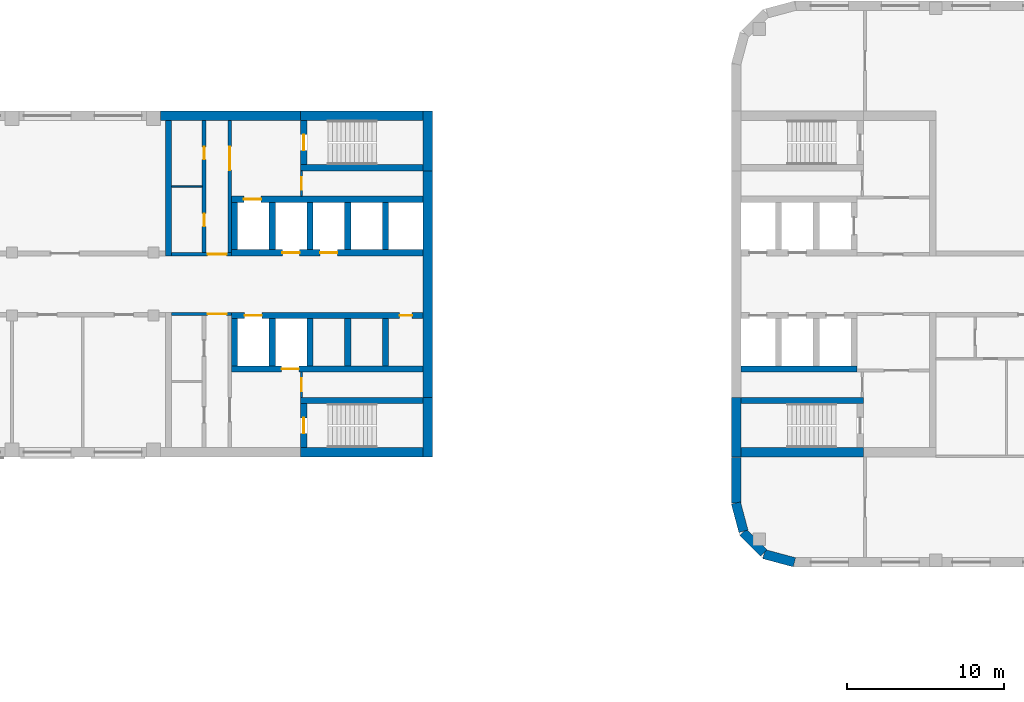
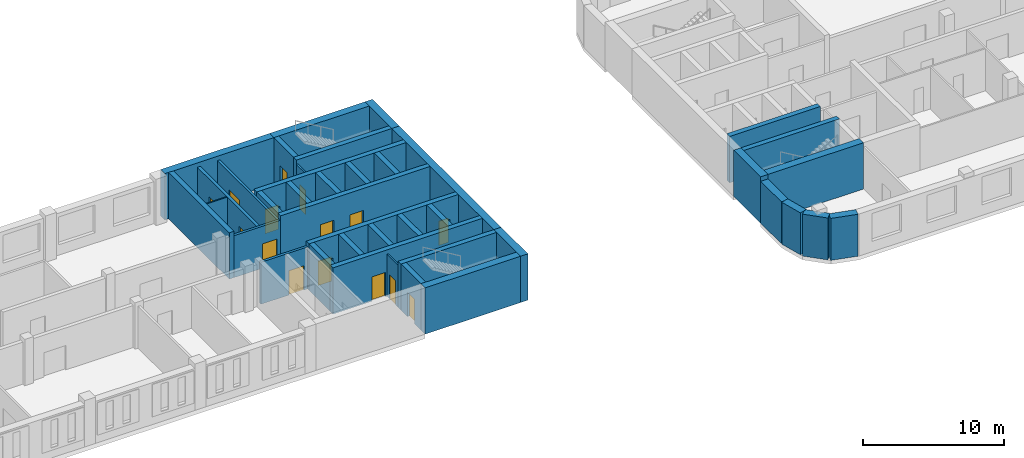
# One storey, part 6 of 12: 40 walls, 15 doors, 15 openings.
"""IFC4 building model written with IfcOpenShell, lengths in metres."""

from ifc_helpers import new_model, si_unit, direction, frame, frame_2d, origin, place, context, subcontext, project, spatial, rectangle, extrude, material, layer, layer_set, type_object, element, fill, save


model = new_model("IFC4")

# Units and contexts
model_context = context("Model", 3, precision=1e-05, world=origin(), true_north=direction((0.0, 1.0)))
body_context = subcontext(model_context, "Body", "Model", "MODEL_VIEW")
ifc_project = project(units=[si_unit("LENGTHUNIT", "METRE"), si_unit("AREAUNIT", "SQUARE_METRE"), si_unit("VOLUMEUNIT", "CUBIC_METRE"), si_unit("PLANEANGLEUNIT", "RADIAN"), si_unit("MASSUNIT", "GRAM", prefix="KILO")], contexts=[model_context])

# Site, building, storey
site_placement = place(None, origin())
site = spatial("IfcSite", under=ifc_project, at=site_placement, CompositionType="ELEMENT")
building_placement = place(site_placement, origin())
building = spatial("IfcBuilding", under=site, at=building_placement, Name="Skarvind Civic Tower", CompositionType="ELEMENT")
storey_placement = place(building_placement, frame((0.0, 0.0, 39.5)))
storey = spatial("IfcBuildingStorey", under=building, at=storey_placement, Name="L08", CompositionType="ELEMENT", Elevation=39.5)

# Wall, opening, door
ifc_material_1 = material(Name="Fire-rated masonry partition", Category="masonry")
ifc_layer_1 = layer(ifc_material_1, 0.199951171875)
ifc_layer_set_1 = layer_set([ifc_layer_1], Name="Core enclosure wall 200")
wall_type_1 = type_object("IfcWallType", Name="Core enclosure wall 200", PredefinedType="PARTITIONING", material=ifc_layer_set_1)
wall_1_placement = place(storey_placement, frame((95.199951171875, 126.10009765625, 0.0), z_axis=(0.0, 0.0, 1.0), x_axis=(-1.0, 0.0, 0.0)))
wall_1 = element("IfcWall", 1, at=wall_1_placement, inside=storey, type_object=wall_type_1, Name="Core wall C1", PredefinedType="PARTITIONING", context=body_context, shape_type="SweptSolid", body=[
    extrude(rectangle(XDim=3.800048828125, YDim=0.199951171875, at=frame_2d((1.89990234375, 0.0))), origin(), (0.0, 0.0, 1.0), 3.625),
])
opening_1_placement = place(wall_1_placement, frame((0.300048828125, 0.0, 0.0)))
opening_1 = element("IfcOpeningElement", 2, at=opening_1_placement, cuts=wall_1, Name="Opening D-L08-C1-05", PredefinedType="OPENING", context=body_context, shape_type="SweptSolid", body=[
    extrude(rectangle(XDim=1.199951171875, YDim=2.10009765625, at=frame_2d((0.60009765625, 1.050048828125))), frame((0.0, 0.10986328125, 0.0), z_axis=(0.0, -1.0, 0.0), x_axis=(1.0, 0.0, 0.0)), (0.0, 0.0, 1.0), 0.219970703125),
])
ifc_material_2 = material(Name="Fire-rated steel door", Category="steel")
door_type_1 = type_object("IfcDoorType", Name="Core lobby door 1200", OperationType="NOTDEFINED", PredefinedType="DOOR", material=ifc_material_2)
door_1_placement = place(opening_1_placement, origin())
door_1 = element("IfcDoor", 3, at=door_1_placement, inside=storey, type_object=door_type_1, Name="Fire door", OperationType="DOUBLE_DOOR_SINGLE_SWING", OverallHeight=2.10009765625, OverallWidth=1.199951171875, PredefinedType="DOOR", context=body_context, shape_type="SweptSolid", body=[
    extrude(rectangle(XDim=1.199951171875, YDim=2.10009765625, at=frame_2d((0.60009765625, 1.050048828125))), frame((0.0, 0.02490234375, 0.0), z_axis=(0.0, -1.0, 0.0), x_axis=(1.0, 0.0, 0.0)), (0.0, 0.0, 1.0), 0.050048828125),
])
fill(opening_1, door_1)

wall_2_placement = place(storey_placement, frame((91.39990234375, 129.89990234375, 0.0), z_axis=(0.0, 0.0, 1.0), x_axis=(1.0, 0.0, 0.0)))
wall_2 = element("IfcWall", 4, at=wall_2_placement, inside=storey, type_object=wall_type_1, Name="Core wall C1", PredefinedType="PARTITIONING", context=body_context, shape_type="SweptSolid", body=[
    extrude(rectangle(XDim=3.800048828125, YDim=0.199951171875, at=frame_2d((1.89990234375, 0.0))), origin(), (0.0, 0.0, 1.0), 3.625),
])
opening_2_placement = place(wall_2_placement, frame((2.300048828125, 0.0, 0.0)))
opening_2 = element("IfcOpeningElement", 5, at=opening_2_placement, cuts=wall_2, Name="Opening D-L08-C1-11", PredefinedType="OPENING", context=body_context, shape_type="SweptSolid", body=[
    extrude(rectangle(XDim=1.199951171875, YDim=2.10009765625, at=frame_2d((0.60009765625, 1.050048828125))), frame((0.0, 0.10986328125, 0.0), z_axis=(0.0, -1.0, 0.0), x_axis=(1.0, 0.0, 0.0)), (0.0, 0.0, 1.0), 0.219970703125),
])
door_2_placement = place(opening_2_placement, origin())
door_2 = element("IfcDoor", 6, at=door_2_placement, inside=storey, type_object=door_type_1, Name="Fire door", OperationType="DOUBLE_DOOR_SINGLE_SWING", OverallHeight=2.10009765625, OverallWidth=1.199951171875, PredefinedType="DOOR", context=body_context, shape_type="SweptSolid", body=[
    extrude(rectangle(XDim=1.199951171875, YDim=2.10009765625, at=frame_2d((0.60009765625, 1.050048828125))), frame((0.0, 0.02490234375, 0.0), z_axis=(0.0, -1.0, 0.0), x_axis=(1.0, 0.0, 0.0)), (0.0, 0.0, 1.0), 0.050048828125),
])
fill(opening_2, door_2)

wall_3_placement = place(storey_placement, frame((95.10009765625, 130.0, 0.0), z_axis=(0.0, 0.0, 1.0), x_axis=(0.0, 1.0, 0.0)))
wall_3 = element("IfcWall", 7, at=wall_3_placement, inside=storey, type_object=wall_type_1, Name="Core wall C1", PredefinedType="PARTITIONING", context=body_context, shape_type="SweptSolid", body=[
    extrude(rectangle(XDim=8.39990234375, YDim=0.199951171875, at=frame_2d((4.199951171875, 0.0))), origin(), (0.0, 0.0, 1.0), 3.625),
])
opening_3_placement = place(wall_3_placement, frame((5.25, 0.0, 0.0)))
opening_3 = element("IfcOpeningElement", 8, at=opening_3_placement, cuts=wall_3, Name="Opening D-L08-C1-12", PredefinedType="OPENING", context=body_context, shape_type="SweptSolid", body=[
    extrude(rectangle(XDim=1.5, YDim=2.10009765625, at=frame_2d((0.75, 1.050048828125))), frame((0.0, 0.10986328125, 0.0), z_axis=(0.0, -1.0, 0.0), x_axis=(1.0, 0.0, 0.0)), (0.0, 0.0, 1.0), 0.219970703125),
])
door_type_2 = type_object("IfcDoorType", Name="Fire door 1500", OperationType="NOTDEFINED", PredefinedType="DOOR", material=ifc_material_2)
door_3_placement = place(opening_3_placement, origin())
door_3 = element("IfcDoor", 9, at=door_3_placement, inside=storey, type_object=door_type_2, Name="Fire door", OperationType="DOUBLE_DOOR_SINGLE_SWING", OverallHeight=2.10009765625, OverallWidth=1.5, PredefinedType="DOOR", context=body_context, shape_type="SweptSolid", body=[
    extrude(rectangle(XDim=1.5, YDim=2.10009765625, at=frame_2d((0.75, 1.050048828125))), frame((0.0, 0.02490234375, 0.0), z_axis=(0.0, -1.0, 0.0), x_axis=(1.0, 0.0, 0.0)), (0.0, 0.0, 1.0), 0.050048828125),
])
fill(opening_3, door_3)

# Walls
ifc_material_3 = material(Name="Fire-rated plasterboard partition")
ifc_layer_2 = layer(ifc_material_3, 0.10009765625)
ifc_layer_set_2 = layer_set([ifc_layer_2], Name="Core partition wall 100")
wall_type_2 = type_object("IfcWallType", Name="Core partition wall 100", PredefinedType="PARTITIONING", material=ifc_layer_set_2)
wall_4_placement = place(storey_placement, frame((91.39990234375, 134.199951171875, 0.0), z_axis=(0.0, 0.0, 1.0), x_axis=(1.0, 0.0, 0.0)))
element("IfcWall", 10, at=wall_4_placement, inside=storey, type_object=wall_type_2, Name="Core wall C1", PredefinedType="PARTITIONING", context=body_context, shape_type="SweptSolid", body=[
    extrude(rectangle(XDim=1.9501953125, YDim=0.10009765625, at=frame_2d((0.97509765625, 0.0))), origin(), (0.0, 0.0, 1.0), 3.625),
])
ifc_material_4 = material(Name="Concrete C80", Category="concrete")
ifc_layer_3 = layer(ifc_material_4, 0.39990234375)
ifc_layer_set_3 = layer_set([ifc_layer_3], Name="Core wall 400 C80")
wall_type_3 = type_object("IfcWallType", Name="Core wall 400 C80", PredefinedType="SHEAR", material=ifc_layer_set_3)
wall_5_placement = place(storey_placement, frame((107.39990234375, 135.39990234375, 0.0), z_axis=(0.0, 0.0, 1.0), x_axis=(-1.0, 0.0, 0.0)))
element("IfcWall", 11, at=wall_5_placement, inside=storey, type_object=wall_type_3, Name="Core wall C1 south stair inner L08", PredefinedType="SHEAR", context=body_context, shape_type="SweptSolid", body=[
    extrude(rectangle(XDim=7.7998046875, YDim=0.39990234375, at=frame_2d((3.89990234375, 0.0))), origin(), (0.0, 0.0, 1.0), 4.0),
])

# Wall, opening, door
wall_6_placement = place(storey_placement, frame((99.800048828125, 138.39990234375, 0.0), z_axis=(0.0, 0.0, 1.0), x_axis=(0.0, -1.0, 0.0)))
wall_6 = element("IfcWall", 12, at=wall_6_placement, inside=storey, type_object=wall_type_3, Name="Core wall C1 south stair end L08", PredefinedType="SHEAR", context=body_context, shape_type="SweptSolid", body=[
    extrude(rectangle(XDim=2.7998046875, YDim=0.39990234375, at=frame_2d((1.39990234375, 0.0))), origin(), (0.0, 0.0, 1.0), 4.0),
])
opening_4_placement = place(wall_6_placement, frame((0.89990234375, 0.0, 0.0)))
opening_4 = element("IfcOpeningElement", 13, at=opening_4_placement, cuts=wall_6, Name="Opening D-L08-C1-13", PredefinedType="OPENING", context=body_context, shape_type="SweptSolid", body=[
    extrude(rectangle(XDim=1.0, YDim=2.10009765625, at=frame_2d((0.5, 1.050048828125))), frame((0.0, 0.2099609375, 0.0), z_axis=(0.0, -1.0, 0.0), x_axis=(1.0, 0.0, 0.0)), (0.0, 0.0, 1.0), 0.419921875),
])
door_type_3 = type_object("IfcDoorType", Name="Fire door 1000", OperationType="NOTDEFINED", PredefinedType="DOOR", material=ifc_material_2)
door_4_placement = place(opening_4_placement, origin())
door_4 = element("IfcDoor", 14, at=door_4_placement, inside=storey, type_object=door_type_3, Name="Fire door", OperationType="SINGLE_SWING_RIGHT", OverallHeight=2.10009765625, OverallWidth=1.0, PredefinedType="DOOR", context=body_context, shape_type="SweptSolid", body=[
    extrude(rectangle(XDim=1.0, YDim=2.10009765625, at=frame_2d((0.5, 1.050048828125))), frame((0.0, 0.02490234375, 0.0), z_axis=(0.0, -1.0, 0.0), x_axis=(1.0, 0.0, 0.0)), (0.0, 0.0, 1.0), 0.050048828125),
])
fill(opening_4, door_4)

# Wall
wall_7_placement = place(storey_placement, frame((107.39990234375, 120.60009765625, 0.0), z_axis=(0.0, 0.0, 1.0), x_axis=(-1.0, 0.0, 0.0)))
element("IfcWall", 15, at=wall_7_placement, inside=storey, type_object=wall_type_3, Name="Core wall C1 north stair inner L08", PredefinedType="SHEAR", context=body_context, shape_type="SweptSolid", body=[
    extrude(rectangle(XDim=7.7998046875, YDim=0.39990234375, at=frame_2d((3.89990234375, 0.0))), origin(), (0.0, 0.0, 1.0), 4.0),
])

# Wall, opening, door
wall_8_placement = place(storey_placement, frame((99.800048828125, 120.39990234375, 0.0), z_axis=(0.0, 0.0, 1.0), x_axis=(0.0, -1.0, 0.0)))
wall_8 = element("IfcWall", 16, at=wall_8_placement, inside=storey, type_object=wall_type_3, Name="Core wall C1 north stair end L08", PredefinedType="SHEAR", context=body_context, shape_type="SweptSolid", body=[
    extrude(rectangle(XDim=2.7998046875, YDim=0.39990234375, at=frame_2d((1.39990234375, 0.0))), origin(), (0.0, 0.0, 1.0), 4.0),
])
opening_5_placement = place(wall_8_placement, frame((0.89990234375, 0.0, 0.0)))
opening_5 = element("IfcOpeningElement", 17, at=opening_5_placement, cuts=wall_8, Name="Opening D-L08-C1-07", PredefinedType="OPENING", context=body_context, shape_type="SweptSolid", body=[
    extrude(rectangle(XDim=1.0, YDim=2.10009765625, at=frame_2d((0.5, 1.050048828125))), frame((0.0, 0.2099609375, 0.0), z_axis=(0.0, -1.0, 0.0), x_axis=(1.0, 0.0, 0.0)), (0.0, 0.0, 1.0), 0.419921875),
])
door_5_placement = place(opening_5_placement, origin())
door_5 = element("IfcDoor", 18, at=door_5_placement, inside=storey, type_object=door_type_3, Name="Fire door", OperationType="SINGLE_SWING_LEFT", OverallHeight=2.10009765625, OverallWidth=1.0, PredefinedType="DOOR", context=body_context, shape_type="SweptSolid", body=[
    extrude(rectangle(XDim=1.0, YDim=2.10009765625, at=frame_2d((0.5, 1.050048828125))), frame((0.0, 0.02490234375, 0.0), z_axis=(0.0, -1.0, 0.0), x_axis=(1.0, 0.0, 0.0)), (0.0, 0.0, 1.0), 0.050048828125),
])
fill(opening_5, door_5)

# Wall, openings, doors
wall_9_placement = place(storey_placement, frame((107.39990234375, 130.0, 0.0), z_axis=(0.0, 0.0, 1.0), x_axis=(-1.0, 0.0, 0.0)))
wall_9 = element("IfcWall", 19, at=wall_9_placement, inside=storey, type_object=wall_type_3, Name="Core wall C1 south lift row front L08", PredefinedType="SHEAR", context=body_context, shape_type="SweptSolid", body=[
    extrude(rectangle(XDim=12.199951171875, YDim=0.39990234375, at=frame_2d((6.10009765625, 0.0))), origin(), (0.0, 0.0, 1.0), 4.0),
])
opening_6_placement = place(wall_9_placement, frame((5.449951171875, 0.0, 0.0)))
opening_6 = element("IfcOpeningElement", 20, at=opening_6_placement, cuts=wall_9, Name="Opening LD10108", PredefinedType="OPENING", context=body_context, shape_type="SweptSolid", body=[
    extrude(rectangle(XDim=1.10009765625, YDim=2.10009765625, at=frame_2d((0.550048828125, 1.050048828125))), frame((0.0, 0.2099609375, 0.0), z_axis=(0.0, -1.0, 0.0), x_axis=(1.0, 0.0, 0.0)), (0.0, 0.0, 1.0), 0.419921875),
])
opening_7_placement = place(wall_9_placement, frame((7.85009765625, 0.0, 0.0)))
opening_7 = element("IfcOpeningElement", 21, at=opening_7_placement, cuts=wall_9, Name="Opening LD10109", PredefinedType="OPENING", context=body_context, shape_type="SweptSolid", body=[
    extrude(rectangle(XDim=1.10009765625, YDim=2.10009765625, at=frame_2d((0.550048828125, 1.050048828125))), frame((0.0, 0.2099609375, 0.0), z_axis=(0.0, -1.0, 0.0), x_axis=(1.0, 0.0, 0.0)), (0.0, 0.0, 1.0), 0.419921875),
])
ifc_material_5 = material(Name="Stainless steel landing door", Category="steel")
door_type_4 = type_object("IfcDoorType", Name="Lift landing door 1100", OperationType="DOUBLE_DOOR_SLIDING", PredefinedType="DOOR", material=ifc_material_5)
door_6_placement = place(opening_6_placement, origin())
door_6 = element("IfcDoor", 22, at=door_6_placement, inside=storey, type_object=door_type_4, Name="Lift landing door", OperationType="DOUBLE_DOOR_SLIDING", OverallHeight=2.10009765625, OverallWidth=1.10009765625, PredefinedType="DOOR", context=body_context, shape_type="SweptSolid", body=[
    extrude(rectangle(XDim=1.10009765625, YDim=2.10009765625, at=frame_2d((0.550048828125, 1.050048828125))), frame((0.0, 0.02490234375, 0.0), z_axis=(0.0, -1.0, 0.0), x_axis=(1.0, 0.0, 0.0)), (0.0, 0.0, 1.0), 0.050048828125),
])
fill(opening_6, door_6)
door_7_placement = place(opening_7_placement, origin())
door_7 = element("IfcDoor", 23, at=door_7_placement, inside=storey, type_object=door_type_4, Name="Lift landing door", OperationType="DOUBLE_DOOR_SLIDING", OverallHeight=2.10009765625, OverallWidth=1.10009765625, PredefinedType="DOOR", context=body_context, shape_type="SweptSolid", body=[
    extrude(rectangle(XDim=1.10009765625, YDim=2.10009765625, at=frame_2d((0.550048828125, 1.050048828125))), frame((0.0, 0.02490234375, 0.0), z_axis=(0.0, -1.0, 0.0), x_axis=(1.0, 0.0, 0.0)), (0.0, 0.0, 1.0), 0.050048828125),
])
fill(opening_7, door_7)

# Wall, opening, door
wall_10_placement = place(storey_placement, frame((107.39990234375, 133.39990234375, 0.0), z_axis=(0.0, 0.0, 1.0), x_axis=(-1.0, 0.0, 0.0)))
wall_10 = element("IfcWall", 24, at=wall_10_placement, inside=storey, type_object=wall_type_3, Name="Core wall C1 south lift row back L08", PredefinedType="SHEAR", context=body_context, shape_type="SweptSolid", body=[
    extrude(rectangle(XDim=12.199951171875, YDim=0.39990234375, at=frame_2d((6.10009765625, 0.0))), origin(), (0.0, 0.0, 1.0), 4.0),
])
opening_8_placement = place(wall_10_placement, frame((10.300048828125, 0.0, 0.0)))
opening_8 = element("IfcOpeningElement", 25, at=opening_8_placement, cuts=wall_10, Name="Opening LD10110", PredefinedType="OPENING", context=body_context, shape_type="SweptSolid", body=[
    extrude(rectangle(XDim=1.10009765625, YDim=2.10009765625, at=frame_2d((0.550048828125, 1.050048828125))), frame((0.0, 0.2099609375, 0.0), z_axis=(0.0, -1.0, 0.0), x_axis=(1.0, 0.0, 0.0)), (0.0, 0.0, 1.0), 0.419921875),
])
door_8_placement = place(opening_8_placement, origin())
door_8 = element("IfcDoor", 26, at=door_8_placement, inside=storey, type_object=door_type_4, Name="Lift landing door", OperationType="DOUBLE_DOOR_SLIDING", OverallHeight=2.10009765625, OverallWidth=1.10009765625, PredefinedType="DOOR", context=body_context, shape_type="SweptSolid", body=[
    extrude(rectangle(XDim=1.10009765625, YDim=2.10009765625, at=frame_2d((0.550048828125, 1.050048828125))), frame((0.0, 0.02490234375, 0.0), z_axis=(0.0, -1.0, 0.0), x_axis=(1.0, 0.0, 0.0)), (0.0, 0.0, 1.0), 0.050048828125),
])
fill(opening_8, door_8)

# Walls
for number, where, z_axis, x_axis, name in (
    (27, (105.0, 133.199951171875, 0.0), (0.0, 0.0, 1.0), (0.0, -1.0, 0.0), "Core wall C1 south lift row division 1 L08"),
    (28, (102.60009765625, 133.199951171875, 0.0), (0.0, 0.0, 1.0), (0.0, -1.0, 0.0), "Core wall C1 south lift row division 2 L08"),
    (29, (100.199951171875, 133.199951171875, 0.0), (0.0, 0.0, 1.0), (0.0, -1.0, 0.0), "Core wall C1 south lift row division 3 L08"),
    (30, (97.800048828125, 133.199951171875, 0.0), (0.0, 0.0, 1.0), (0.0, -1.0, 0.0), "Core wall C1 south lift row division 4 L08"),
    (31, (95.39990234375, 133.199951171875, 0.0), (0.0, 0.0, 1.0), (0.0, -1.0, 0.0), "Core wall C1 south lift row division 5 L08"),
):
    element("IfcWall", number, at=place(storey_placement, frame(where, z_axis=z_axis, x_axis=x_axis)), inside=storey, type_object=wall_type_3, Name=name, PredefinedType="SHEAR", context=body_context, shape_type="SweptSolid", body=[
        extrude(rectangle(XDim=3.0, YDim=0.39990234375, at=frame_2d((1.5, 0.0))), origin(), (0.0, 0.0, 1.0), 4.0),
    ])

# Wall, openings, doors
wall_11_placement = place(storey_placement, frame((107.39990234375, 126.0, 0.0), z_axis=(0.0, 0.0, 1.0), x_axis=(-1.0, 0.0, 0.0)))
wall_11 = element("IfcWall", 32, at=wall_11_placement, inside=storey, type_object=wall_type_3, Name="Core wall C1 north lift row front L08", PredefinedType="SHEAR", context=body_context, shape_type="SweptSolid", body=[
    extrude(rectangle(XDim=12.199951171875, YDim=0.39990234375, at=frame_2d((6.10009765625, 0.0))), origin(), (0.0, 0.0, 1.0), 4.0),
])
opening_9_placement = place(wall_11_placement, frame((10.25, 0.0, 0.0)))
opening_9 = element("IfcOpeningElement", 33, at=opening_9_placement, cuts=wall_11, Name="Opening LD10105", PredefinedType="OPENING", context=body_context, shape_type="SweptSolid", body=[
    extrude(rectangle(XDim=1.10009765625, YDim=2.10009765625, at=frame_2d((0.550048828125, 1.050048828125))), frame((0.0, 0.2099609375, 0.0), z_axis=(0.0, -1.0, 0.0), x_axis=(1.0, 0.0, 0.0)), (0.0, 0.0, 1.0), 0.419921875),
])
opening_10_placement = place(wall_11_placement, frame((0.699951171875, 0.0, 0.0)))
opening_10 = element("IfcOpeningElement", 34, at=opening_10_placement, cuts=wall_11, Name="Opening D-L08-C1-04", PredefinedType="OPENING", context=body_context, shape_type="SweptSolid", body=[
    extrude(rectangle(XDim=0.800048828125, YDim=2.10009765625, at=frame_2d((0.39990234375, 1.050048828125))), frame((0.0, 0.2099609375, 0.0), z_axis=(0.0, -1.0, 0.0), x_axis=(1.0, 0.0, 0.0)), (0.0, 0.0, 1.0), 0.419921875),
])
door_type_5 = type_object("IfcDoorType", Name="Core riser door 800", OperationType="NOTDEFINED", PredefinedType="DOOR", material=ifc_material_2)
door_9_placement = place(opening_10_placement, origin())
door_9 = element("IfcDoor", 35, at=door_9_placement, inside=storey, type_object=door_type_5, Name="Riser door", OperationType="SINGLE_SWING_LEFT", OverallHeight=2.10009765625, OverallWidth=0.800048828125, PredefinedType="DOOR", context=body_context, shape_type="SweptSolid", body=[
    extrude(rectangle(XDim=0.800048828125, YDim=2.10009765625, at=frame_2d((0.39990234375, 1.050048828125))), frame((0.0, 0.02490234375, 0.0), z_axis=(0.0, -1.0, 0.0), x_axis=(1.0, 0.0, 0.0)), (0.0, 0.0, 1.0), 0.050048828125),
])
fill(opening_10, door_9)
door_10_placement = place(opening_9_placement, origin())
door_10 = element("IfcDoor", 36, at=door_10_placement, inside=storey, type_object=door_type_4, Name="Lift landing door", OperationType="DOUBLE_DOOR_SLIDING", OverallHeight=2.10009765625, OverallWidth=1.10009765625, PredefinedType="DOOR", context=body_context, shape_type="SweptSolid", body=[
    extrude(rectangle(XDim=1.10009765625, YDim=2.10009765625, at=frame_2d((0.550048828125, 1.050048828125))), frame((0.0, 0.02490234375, 0.0), z_axis=(0.0, -1.0, 0.0), x_axis=(1.0, 0.0, 0.0)), (0.0, 0.0, 1.0), 0.050048828125),
])
fill(opening_9, door_10)

# Wall, opening, door
wall_12_placement = place(storey_placement, frame((107.39990234375, 122.60009765625, 0.0), z_axis=(0.0, 0.0, 1.0), x_axis=(-1.0, 0.0, 0.0)))
wall_12 = element("IfcWall", 37, at=wall_12_placement, inside=storey, type_object=wall_type_3, Name="Core wall C1 north lift row back L08", PredefinedType="SHEAR", context=body_context, shape_type="SweptSolid", body=[
    extrude(rectangle(XDim=12.199951171875, YDim=0.39990234375, at=frame_2d((6.10009765625, 0.0))), origin(), (0.0, 0.0, 1.0), 4.0),
])
opening_11_placement = place(wall_12_placement, frame((7.89990234375, 0.0, 0.0)))
opening_11 = element("IfcOpeningElement", 38, at=opening_11_placement, cuts=wall_12, Name="Opening LD10104", PredefinedType="OPENING", context=body_context, shape_type="SweptSolid", body=[
    extrude(rectangle(XDim=1.10009765625, YDim=2.10009765625, at=frame_2d((0.550048828125, 1.050048828125))), frame((0.0, 0.2099609375, 0.0), z_axis=(0.0, -1.0, 0.0), x_axis=(1.0, 0.0, 0.0)), (0.0, 0.0, 1.0), 0.419921875),
])
door_11_placement = place(opening_11_placement, origin())
door_11 = element("IfcDoor", 39, at=door_11_placement, inside=storey, type_object=door_type_4, Name="Lift landing door", OperationType="DOUBLE_DOOR_SLIDING", OverallHeight=2.10009765625, OverallWidth=1.10009765625, PredefinedType="DOOR", context=body_context, shape_type="SweptSolid", body=[
    extrude(rectangle(XDim=1.10009765625, YDim=2.10009765625, at=frame_2d((0.550048828125, 1.050048828125))), frame((0.0, 0.02490234375, 0.0), z_axis=(0.0, -1.0, 0.0), x_axis=(1.0, 0.0, 0.0)), (0.0, 0.0, 1.0), 0.050048828125),
])
fill(opening_11, door_11)

# Walls
for number, where, z_axis, x_axis, name in (
    (40, (105.0, 125.800048828125, 0.0), (0.0, 0.0, 1.0), (0.0, -1.0, 0.0), "Core wall C1 north lift row division 1 L08"),
    (41, (102.60009765625, 125.800048828125, 0.0), (0.0, 0.0, 1.0), (0.0, -1.0, 0.0), "Core wall C1 north lift row division 2 L08"),
    (42, (100.199951171875, 125.800048828125, 0.0), (0.0, 0.0, 1.0), (0.0, -1.0, 0.0), "Core wall C1 north lift row division 3 L08"),
    (43, (97.800048828125, 125.800048828125, 0.0), (0.0, 0.0, 1.0), (0.0, -1.0, 0.0), "Core wall C1 north lift row division 4 L08"),
    (44, (95.39990234375, 125.800048828125, 0.0), (0.0, 0.0, 1.0), (0.0, -1.0, 0.0), "Core wall C1 north lift row division 5 L08"),
):
    element("IfcWall", number, at=place(storey_placement, frame(where, z_axis=z_axis, x_axis=x_axis)), inside=storey, type_object=wall_type_3, Name=name, PredefinedType="SHEAR", context=body_context, shape_type="SweptSolid", body=[
        extrude(rectangle(XDim=3.0, YDim=0.39990234375, at=frame_2d((1.5, 0.0))), origin(), (0.0, 0.0, 1.0), 4.0),
    ])
wall_13_placement = place(storey_placement, frame((91.199951171875, 138.39990234375, 0.0), z_axis=(0.0, 0.0, 1.0), x_axis=(0.0, -1.0, 0.0)))
element("IfcWall", 45, at=wall_13_placement, inside=storey, type_object=wall_type_3, Name="Core wall C1 south inner face L08", PredefinedType="SHEAR", context=body_context, shape_type="SweptSolid", body=[
    extrude(rectangle(XDim=8.599853515625, YDim=0.39990234375, at=frame_2d((4.2998046875, 0.0))), origin(), (0.0, 0.0, 1.0), 4.0),
])
wall_14_placement = place(storey_placement, frame((127.60009765625, 120.60009765625, 0.0), z_axis=(0.0, 0.0, 1.0), x_axis=(1.0, 0.0, 0.0)))
element("IfcWall", 46, at=wall_14_placement, inside=storey, type_object=wall_type_3, Name="Core wall CA south stair inner L08", PredefinedType="SHEAR", context=body_context, shape_type="SweptSolid", body=[
    extrude(rectangle(XDim=7.7998046875, YDim=0.39990234375, at=frame_2d((3.89990234375, 0.0))), origin(), (0.0, 0.0, 1.0), 4.0),
])
wall_15_placement = place(storey_placement, frame((127.60009765625, 122.60009765625, 0.0), z_axis=(0.0, 0.0, 1.0), x_axis=(1.0, 0.0, 0.0)))
element("IfcWall", 47, at=wall_15_placement, inside=storey, type_object=wall_type_3, Name="Core wall CA south lift row back L08", PredefinedType="SHEAR", context=body_context, shape_type="SweptSolid", body=[
    extrude(rectangle(XDim=7.39990234375, YDim=0.39990234375, at=frame_2d((3.699951171875, 0.0))), origin(), (0.0, 0.0, 1.0), 4.0),
])
ifc_layer_4 = layer(ifc_material_4, 0.60009765625)
ifc_layer_set_4 = layer_set([ifc_layer_4], Name="Core wall 600 C80")
wall_type_4 = type_object("IfcWallType", Name="Core wall 600 C80", PredefinedType="SHEAR", material=ifc_layer_set_4)
wall_16_placement = place(storey_placement, frame((107.699951171875, 139.0, 0.0), z_axis=(0.0, 0.0, 1.0), x_axis=(0.0, -1.0, 0.0)))
element("IfcWall", 48, at=wall_16_placement, inside=storey, type_object=wall_type_4, Name="Core wall C1 tip at the south stair L08", PredefinedType="SHEAR", context=body_context, shape_type="SweptSolid", body=[
    extrude(rectangle(XDim=3.800048828125, YDim=0.60009765625, at=frame_2d((1.89990234375, 0.0))), origin(), (0.0, 0.0, 1.0), 4.0),
])
wall_17_placement = place(storey_placement, frame((107.699951171875, 135.199951171875, 0.0), z_axis=(0.0, 0.0, 1.0), x_axis=(0.0, -1.0, 0.0)))
element("IfcWall", 49, at=wall_17_placement, inside=storey, type_object=wall_type_4, Name="Core wall C1 tip between the stairs L08", PredefinedType="SHEAR", context=body_context, shape_type="SweptSolid", body=[
    extrude(rectangle(XDim=14.39990234375, YDim=0.60009765625, at=frame_2d((7.199951171875, 0.0))), origin(), (0.0, 0.0, 1.0), 4.0),
])
wall_18_placement = place(storey_placement, frame((107.699951171875, 120.800048828125, 0.0), z_axis=(0.0, 0.0, 1.0), x_axis=(0.0, -1.0, 0.0)))
element("IfcWall", 50, at=wall_18_placement, inside=storey, type_object=wall_type_4, Name="Core wall C1 tip at the north stair L08", PredefinedType="SHEAR", context=body_context, shape_type="SweptSolid", body=[
    extrude(rectangle(XDim=3.800048828125, YDim=0.60009765625, at=frame_2d((1.89990234375, 0.0))), origin(), (0.0, 0.0, 1.0), 4.0),
])
for number, where, z_axis, x_axis, name in (
    (51, (107.39990234375, 138.699951171875, 0.0), (0.0, 0.0, 1.0), (-1.0, 0.0, 0.0), "Core wall C1 south side at the stair L08"),
    (52, (107.39990234375, 117.300048828125, 0.0), (0.0, 0.0, 1.0), (-1.0, 0.0, 0.0), "Core wall C1 north side at the stair L08"),
):
    element("IfcWall", number, at=place(storey_placement, frame(where, z_axis=z_axis, x_axis=x_axis)), inside=storey, type_object=wall_type_4, Name=name, PredefinedType="SHEAR", context=body_context, shape_type="SweptSolid", body=[
        extrude(rectangle(XDim=7.7998046875, YDim=0.60009765625, at=frame_2d((3.89990234375, 0.0))), origin(), (0.0, 0.0, 1.0), 4.0),
    ])
wall_19_placement = place(storey_placement, frame((99.60009765625, 138.699951171875, 0.0), z_axis=(0.0, 0.0, 1.0), x_axis=(-1.0, 0.0, 0.0)))
element("IfcWall", 53, at=wall_19_placement, inside=storey, type_object=wall_type_4, Name="Core wall C1 south side L08", PredefinedType="SHEAR", context=body_context, shape_type="SweptSolid", body=[
    extrude(rectangle(XDim=8.900146484375, YDim=0.60009765625, at=frame_2d((4.4501953125, 0.0))), origin(), (0.0, 0.0, 1.0), 4.0),
])
wall_20_placement = place(storey_placement, frame((127.300048828125, 117.0, 0.0), z_axis=(0.0, 0.0, 1.0), x_axis=(0.0, 1.0, 0.0)))
element("IfcWall", 54, at=wall_20_placement, inside=storey, type_object=wall_type_4, Name="Core wall CA tip at the south stair L08", PredefinedType="SHEAR", context=body_context, shape_type="SweptSolid", body=[
    extrude(rectangle(XDim=3.800048828125, YDim=0.60009765625, at=frame_2d((1.89990234375, 0.0))), origin(), (0.0, 0.0, 1.0), 4.0),
])
wall_21_placement = place(storey_placement, frame((127.60009765625, 117.300048828125, 0.0), z_axis=(0.0, 0.0, 1.0), x_axis=(1.0, 0.0, 0.0)))
element("IfcWall", 55, at=wall_21_placement, inside=storey, type_object=wall_type_4, Name="Core wall CA south side at the stair L08", PredefinedType="SHEAR", context=body_context, shape_type="SweptSolid", body=[
    extrude(rectangle(XDim=7.7998046875, YDim=0.60009765625, at=frame_2d((3.89990234375, 0.0))), origin(), (0.0, 0.0, 1.0), 4.0),
])

# Wall, opening, door
ifc_layer_5 = layer(ifc_material_1, 0.125)
ifc_layer_set_5 = layer_set([ifc_layer_5], Name="Riser wall 125")
wall_type_5 = type_object("IfcWallType", Name="Riser wall 125", PredefinedType="PARTITIONING", material=ifc_layer_set_5)
wall_22_placement = place(storey_placement, frame((99.66259765625, 120.800048828125, 0.0), z_axis=(0.0, 0.0, 1.0), x_axis=(0.0, 1.0, 0.0)))
wall_22 = element("IfcWall", 56, at=wall_22_placement, inside=storey, type_object=wall_type_5, Name="Core wall C1", PredefinedType="PARTITIONING", context=body_context, shape_type="SweptSolid", body=[
    extrude(rectangle(XDim=1.599853515625, YDim=0.125, at=frame_2d((0.7998046875, 0.0))), origin(), (0.0, 0.0, 1.0), 3.625),
])
opening_12_placement = place(wall_22_placement, frame((0.39990234375, 0.0, 0.0)))
opening_12 = element("IfcOpeningElement", 57, at=opening_12_placement, cuts=wall_22, Name="Opening D-L08-C1-08", PredefinedType="OPENING", context=body_context, shape_type="SweptSolid", body=[
    extrude(rectangle(XDim=0.800048828125, YDim=2.10009765625, at=frame_2d((0.39990234375, 1.050048828125))), frame((0.0, 0.072509765625, 0.0), z_axis=(0.0, -1.0, 0.0), x_axis=(1.0, 0.0, 0.0)), (0.0, 0.0, 1.0), 0.14501953125),
])
door_12_placement = place(opening_12_placement, origin())
door_12 = element("IfcDoor", 58, at=door_12_placement, inside=storey, type_object=door_type_5, Name="Riser door", OperationType="SINGLE_SWING_RIGHT", OverallHeight=2.10009765625, OverallWidth=0.800048828125, PredefinedType="DOOR", context=body_context, shape_type="SweptSolid", body=[
    extrude(rectangle(XDim=0.800048828125, YDim=2.10009765625, at=frame_2d((0.39990234375, 1.050048828125))), frame((0.0, 0.02490234375, 0.0), z_axis=(0.0, -1.0, 0.0), x_axis=(1.0, 0.0, 0.0)), (0.0, 0.0, 1.0), 0.050048828125),
])
fill(opening_12, door_12)

wall_23_placement = place(storey_placement, frame((99.66259765625, 133.60009765625, 0.0), z_axis=(0.0, 0.0, 1.0), x_axis=(0.0, 1.0, 0.0)))
wall_23 = element("IfcWall", 59, at=wall_23_placement, inside=storey, type_object=wall_type_5, Name="Core wall C1", PredefinedType="PARTITIONING", context=body_context, shape_type="SweptSolid", body=[
    extrude(rectangle(XDim=1.599853515625, YDim=0.125, at=frame_2d((0.7998046875, 0.0))), origin(), (0.0, 0.0, 1.0), 3.625),
])
opening_13_placement = place(wall_23_placement, frame((0.39990234375, 0.0, 0.0)))
opening_13 = element("IfcOpeningElement", 60, at=opening_13_placement, cuts=wall_23, Name="Opening D-L08-C1-14", PredefinedType="OPENING", context=body_context, shape_type="SweptSolid", body=[
    extrude(rectangle(XDim=0.800048828125, YDim=2.10009765625, at=frame_2d((0.39990234375, 1.050048828125))), frame((0.0, 0.072509765625, 0.0), z_axis=(0.0, -1.0, 0.0), x_axis=(1.0, 0.0, 0.0)), (0.0, 0.0, 1.0), 0.14501953125),
])
door_13_placement = place(opening_13_placement, origin())
door_13 = element("IfcDoor", 61, at=door_13_placement, inside=storey, type_object=door_type_5, Name="Riser door", OperationType="SINGLE_SWING_LEFT", OverallHeight=2.10009765625, OverallWidth=0.800048828125, PredefinedType="DOOR", context=body_context, shape_type="SweptSolid", body=[
    extrude(rectangle(XDim=0.800048828125, YDim=2.10009765625, at=frame_2d((0.39990234375, 1.050048828125))), frame((0.0, 0.02490234375, 0.0), z_axis=(0.0, -1.0, 0.0), x_axis=(1.0, 0.0, 0.0)), (0.0, 0.0, 1.0), 0.050048828125),
])
fill(opening_13, door_13)

# Wall, openings, doors
ifc_layer_6 = layer(ifc_material_1, 0.25)
ifc_layer_set_6 = layer_set([ifc_layer_6], Name="Service block wall 250")
wall_type_6 = type_object("IfcWallType", Name="Service block wall 250", PredefinedType="PARTITIONING", material=ifc_layer_set_6)
wall_24_placement = place(storey_placement, frame((93.47509765625, 130.0, 0.0), z_axis=(0.0, 0.0, 1.0), x_axis=(0.0, 1.0, 0.0)))
wall_24 = element("IfcWall", 62, at=wall_24_placement, inside=storey, type_object=wall_type_6, Name="Core wall C1", PredefinedType="PARTITIONING", context=body_context, shape_type="SweptSolid", body=[
    extrude(rectangle(XDim=8.39990234375, YDim=0.25, at=frame_2d((4.199951171875, 0.0))), origin(), (0.0, 0.0, 1.0), 3.625),
])
opening_14_placement = place(wall_24_placement, frame((1.675048828125, 0.0, 0.0)))
opening_14 = element("IfcOpeningElement", 63, at=opening_14_placement, cuts=wall_24, Name="Opening D-L08-C1-15", PredefinedType="OPENING", context=body_context, shape_type="SweptSolid", body=[
    extrude(rectangle(XDim=0.800048828125, YDim=2.10009765625, at=frame_2d((0.39990234375, 1.050048828125))), frame((0.0, 0.135009765625, 0.0), z_axis=(0.0, -1.0, 0.0), x_axis=(1.0, 0.0, 0.0)), (0.0, 0.0, 1.0), 0.27001953125),
])
opening_15_placement = place(wall_24_placement, frame((5.925048828125, 0.0, 0.0)))
opening_15 = element("IfcOpeningElement", 64, at=opening_15_placement, cuts=wall_24, Name="Opening D-L08-C1-16", PredefinedType="OPENING", context=body_context, shape_type="SweptSolid", body=[
    extrude(rectangle(XDim=0.800048828125, YDim=2.10009765625, at=frame_2d((0.39990234375, 1.050048828125))), frame((0.0, 0.135009765625, 0.0), z_axis=(0.0, -1.0, 0.0), x_axis=(1.0, 0.0, 0.0)), (0.0, 0.0, 1.0), 0.27001953125),
])
door_14_placement = place(opening_14_placement, origin())
door_14 = element("IfcDoor", 65, at=door_14_placement, inside=storey, type_object=door_type_5, Name="Riser door", OperationType="SINGLE_SWING_RIGHT", OverallHeight=2.10009765625, OverallWidth=0.800048828125, PredefinedType="DOOR", context=body_context, shape_type="SweptSolid", body=[
    extrude(rectangle(XDim=0.800048828125, YDim=2.10009765625, at=frame_2d((0.39990234375, 1.050048828125))), frame((0.0, 0.02490234375, 0.0), z_axis=(0.0, -1.0, 0.0), x_axis=(1.0, 0.0, 0.0)), (0.0, 0.0, 1.0), 0.050048828125),
])
fill(opening_14, door_14)
door_15_placement = place(opening_15_placement, origin())
door_15 = element("IfcDoor", 66, at=door_15_placement, inside=storey, type_object=door_type_5, Name="Riser door", OperationType="SINGLE_SWING_LEFT", OverallHeight=2.10009765625, OverallWidth=0.800048828125, PredefinedType="DOOR", context=body_context, shape_type="SweptSolid", body=[
    extrude(rectangle(XDim=0.800048828125, YDim=2.10009765625, at=frame_2d((0.39990234375, 1.050048828125))), frame((0.0, 0.02490234375, 0.0), z_axis=(0.0, -1.0, 0.0), x_axis=(1.0, 0.0, 0.0)), (0.0, 0.0, 1.0), 0.050048828125),
])
fill(opening_15, door_15)

# Walls
ifc_material_6 = material(Name="Limestone masonry cladding on insulated backing", Category="masonry")
ifc_layer_7 = layer(ifc_material_6, 0.60009765625)
ifc_layer_set_7 = layer_set([ifc_layer_7], Name="WX1 STONE FACADE WALL 600")
wall_type_7 = type_object("IfcWallType", Name="WX1 STONE FACADE WALL 600", PredefinedType="SOLIDWALL", material=ifc_layer_set_7)
wall_25_placement = place(storey_placement, frame((127.300048828125, 114.070068359375, 0.0), z_axis=(0.0, 0.0, 1.0), x_axis=(0.0, 1.0, 0.0)))
element("IfcWall", 67, at=wall_25_placement, inside=storey, type_object=wall_type_7, Name="STONE FACADE WALL", PredefinedType="SOLIDWALL", context=body_context, shape_type="SweptSolid", body=[
    extrude(rectangle(XDim=2.909912109375, YDim=0.60009765625, at=frame_2d((1.455078125, 0.0))), origin(), (0.0, 0.0, 1.0), 3.625),
])
for number, where, z_axis, x_axis, name in (
    (68, (127.771240234375, 112.280517578125, 0.0), (0.0, 0.0, 1.0), (-0.258773254036, 0.965938094805, 0.0), "STONE FACADE WALL"),
    (69, (129.063720703125, 110.896484375, 0.0), (0.0, 0.0, 1.0), (-0.707106781187, 0.707106781187, 0.0), "STONE FACADE WALL"),
):
    element("IfcWall", number, at=place(storey_placement, frame(where, z_axis=z_axis, x_axis=x_axis)), inside=storey, type_object=wall_type_7, Name=name, PredefinedType="SOLIDWALL", context=body_context, shape_type="SweptSolid", body=[
        extrude(rectangle(XDim=1.860595703125, YDim=0.60009765625, at=frame_2d((0.93017578125, 0.0))), origin(), (0.0, 0.0, 1.0), 3.625),
    ])
wall_26_placement = place(storey_placement, frame((131.010009765625, 110.307861328125, 0.0), z_axis=(0.0, 0.0, 1.0), x_axis=(-0.965920269068, 0.258839784042, 0.0)))
element("IfcWall", 70, at=wall_26_placement, inside=storey, type_object=wall_type_7, Name="STONE FACADE WALL", PredefinedType="SOLIDWALL", context=body_context, shape_type="SweptSolid", body=[
    extrude(rectangle(XDim=2.00048828125, YDim=0.60009765625, at=frame_2d((1.000244140625, 0.0))), origin(), (0.0, 0.0, 1.0), 3.625),
])

save(model, "model.ifc")
